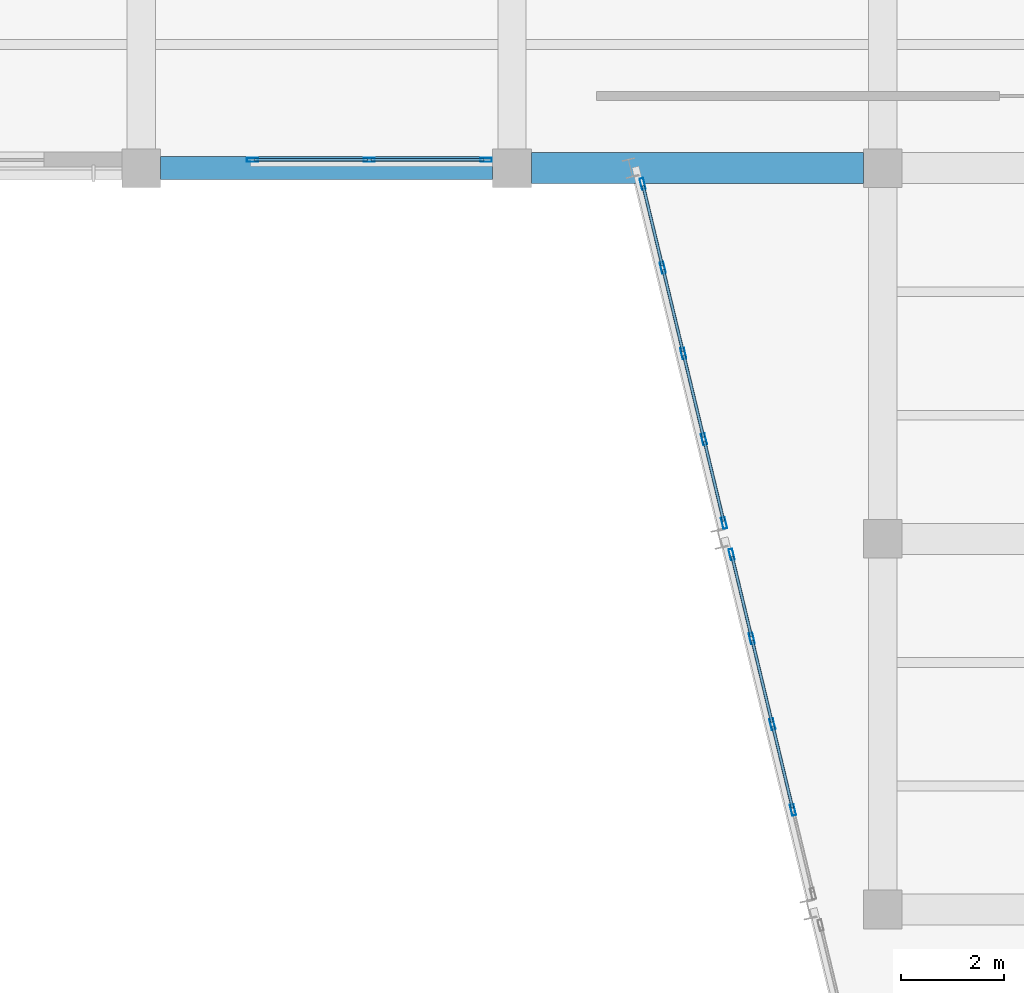
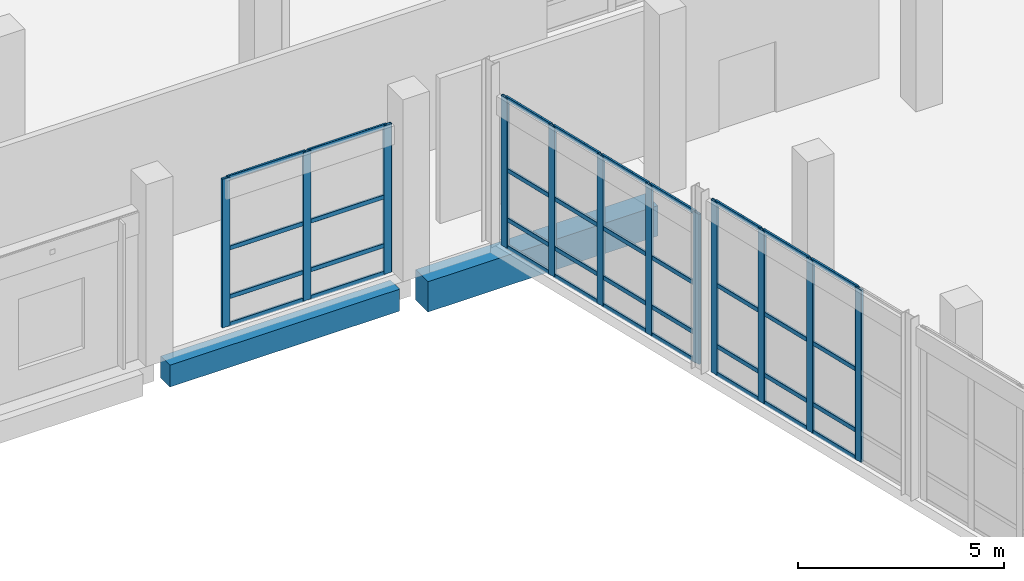
# One storey, part 59 of 137: 48 members, 2 beams, 3 elements without a shape of their own.
"""IFC4 building model written with IfcOpenShell, lengths in metres."""

from ifc_helpers import new_model, si_unit, direction, frame, origin, origin_2d, place, context, subcontext, project, spatial, rectangle, hollow_rectangle, extrude, material, material_profile, profile_set, type_object, element, aggregate, save


model = new_model("IFC4")

# Units and contexts
model_context = context("Model", 3, precision=1e-05, world=origin(), true_north=direction((0.0, 1.0)))
body_context = subcontext(model_context, "Body", "Model", "MODEL_VIEW")
ifc_project = project(units=[si_unit("LENGTHUNIT", "METRE"), si_unit("AREAUNIT", "SQUARE_METRE"), si_unit("VOLUMEUNIT", "CUBIC_METRE"), si_unit("PLANEANGLEUNIT", "RADIAN"), si_unit("MASSUNIT", "GRAM", prefix="KILO")], contexts=[model_context])

# Site, building, storey
site_placement = place(None, origin())
site = spatial("IfcSite", under=ifc_project, at=site_placement, CompositionType="ELEMENT")
building_placement = place(site_placement, origin())
building = spatial("IfcBuilding", under=site, at=building_placement, Name="Kalmorath City Hall", CompositionType="ELEMENT")
storey_placement = place(building_placement, origin())
storey = spatial("IfcBuildingStorey", under=building, at=storey_placement, Name="L00", CompositionType="ELEMENT", Elevation=0.0)

# Beams
ifc_material_1 = material(Name="Concrete C40/50", Category="concrete")
ifc_material_profile_1 = material_profile(ifc_material_1, rectangle(XDim=0.60009765625, YDim=0.89990234375, at=origin_2d()), Name="RC-BM-600X900")
ifc_profile_set_1 = profile_set([ifc_material_profile_1], Name="Concrete C40/50")
beam_type_1 = type_object("IfcBeamType", Name="Concrete floor girder 600x900", PredefinedType="BEAM", material=ifc_profile_set_1)
beam_1_placement = place(storey_placement, frame((122.77490234375, 93.60009765625, -0.75390625), z_axis=(1.0, 0.0, 0.0), x_axis=(0.0, 1.0, 0.0)))
element("IfcBeam", 1, at=beam_1_placement, inside=storey, type_object=beam_type_1, Name="L00 girder CB1 X18-19/14", PredefinedType="BEAM", context=body_context, shape_type="SweptSolid", body=[
    extrude(rectangle(XDim=0.60009765625, YDim=0.89990234375, at=origin_2d()), origin(), (0.0, 0.0, 1.0), 6.4501953125),
])
ifc_material_2 = material(Name="Concrete C40/50", Category="concrete")
ifc_material_profile_2 = material_profile(ifc_material_2, rectangle(XDim=0.449951171875, YDim=0.64990234375, at=origin_2d()), Name="RC-BM-450X650")
ifc_profile_set_2 = profile_set([ifc_material_profile_2], Name="Concrete C40/50")
beam_type_2 = type_object("IfcBeamType", Name="Concrete spandrel beam 450x650", PredefinedType="SPANDREL", material=ifc_profile_set_2)
beam_2_placement = place(storey_placement, frame((115.574951171875, 93.60009765625, -0.62890625), z_axis=(1.0, 0.0, 0.0), x_axis=(0.0, 1.0, 0.0)))
element("IfcBeam", 2, at=beam_2_placement, inside=storey, type_object=beam_type_2, Name="L00 girder CB5 X17-18/14", PredefinedType="SPANDREL", context=body_context, shape_type="SweptSolid", body=[
    extrude(rectangle(XDim=0.449951171875, YDim=0.64990234375, at=origin_2d()), origin(), (0.0, 0.0, 1.0), 6.449951171875),
])

# Curtain wall, members
ifc_material_3 = material(Name="Anodised aluminium and laminated glass", Category="aluminium")
curtain_wall_type_1 = type_object("IfcCurtainWallType", Name="Unitised hurricane curtain wall 6849x5120 M1850", PredefinedType="NOTDEFINED", material=ifc_material_3)
curtain_wall_1_placement = place(storey_placement, origin())
curtain_wall_1 = element("IfcCurtainWall", 3, at=curtain_wall_1_placement, inside=storey, type_object=curtain_wall_type_1, Name="L00 curtain wall CW-68X51M18 #46", PredefinedType="NOTDEFINED")
ifc_material_4 = material(Name="Anodised aluminium framing", Category="aluminium")
ifc_material_profile_3 = material_profile(ifc_material_4, hollow_rectangle(XDim=0.06005859375, YDim=0.1298828125, WallThickness=0.00341796875, InnerFilletRadius=0.00341796875, OuterFilletRadius=0.007080078125, at=origin_2d()), Name="ALU-TRN-130X60X3.5")
ifc_profile_set_3 = profile_set([ifc_material_profile_3], Name="Anodised aluminium framing")
member_type_1 = type_object("IfcMemberType", Name="Curtain-wall courtyard transom 130x60", PredefinedType="USERDEFINED", material=ifc_profile_set_3)
member_1_placement = place(storey_placement, frame((127.84814453125, 81.17138671875, 0.030029296875), z_axis=(-0.233508300868, 0.972354808404, 0.0), x_axis=(-0.972354808404, -0.233508300868, 0.0)))
member_1 = element("IfcMember", 4, at=member_1_placement, type_object=member_type_1, Name="CW-68X51M18 transom 2.1", ObjectType="TRANSOM", PredefinedType="USERDEFINED", context=body_context, shape_type="SweptSolid", body=[
    extrude(hollow_rectangle(XDim=0.06005859375, YDim=0.1298828125, WallThickness=0.00341796875, InnerFilletRadius=0.00341796875, OuterFilletRadius=0.007080078125, at=origin_2d()), origin(), (0.0, 0.0, 1.0), 1.63720703125),
])
member_2_placement = place(storey_placement, frame((127.84814453125, 81.17138671875, 0.85009765625), z_axis=(-0.233508300868, 0.972354808404, 0.0), x_axis=(-0.972354808404, -0.233508300868, 0.0)))
member_2 = element("IfcMember", 5, at=member_2_placement, type_object=member_type_1, Name="CW-68X51M18 transom 2.2", ObjectType="TRANSOM", PredefinedType="USERDEFINED", context=body_context, shape_type="SweptSolid", body=[
    extrude(hollow_rectangle(XDim=0.06005859375, YDim=0.1298828125, WallThickness=0.00341796875, InnerFilletRadius=0.00341796875, OuterFilletRadius=0.007080078125, at=origin_2d()), origin(), (0.0, 0.0, 1.0), 1.63720703125),
])
member_3_placement = place(storey_placement, frame((127.84814453125, 81.17138671875, 2.662109375), z_axis=(-0.233508300868, 0.972354808404, 0.0), x_axis=(-0.972354808404, -0.233508300868, 0.0)))
member_3 = element("IfcMember", 6, at=member_3_placement, type_object=member_type_1, Name="CW-68X51M18 transom 2.3", ObjectType="TRANSOM", PredefinedType="USERDEFINED", context=body_context, shape_type="SweptSolid", body=[
    extrude(hollow_rectangle(XDim=0.06005859375, YDim=0.1298828125, WallThickness=0.00341796875, InnerFilletRadius=0.00341796875, OuterFilletRadius=0.007080078125, at=origin_2d()), origin(), (0.0, 0.0, 1.0), 1.63720703125),
])
member_4_placement = place(storey_placement, frame((127.84814453125, 81.17138671875, 5.090087890625), z_axis=(-0.233508300868, 0.972354808404, 0.0), x_axis=(-0.972354808404, -0.233508300868, 0.0)))
member_4 = element("IfcMember", 7, at=member_4_placement, type_object=member_type_1, Name="CW-68X51M18 transom 2.4", ObjectType="TRANSOM", PredefinedType="USERDEFINED", context=body_context, shape_type="SweptSolid", body=[
    extrude(hollow_rectangle(XDim=0.06005859375, YDim=0.1298828125, WallThickness=0.00341796875, InnerFilletRadius=0.00341796875, OuterFilletRadius=0.007080078125, at=origin_2d()), origin(), (0.0, 0.0, 1.0), 1.63720703125),
])
member_5_placement = place(storey_placement, frame((127.4482421875, 82.83642578125, 0.030029296875), z_axis=(-0.233367312665, 0.972388655518, 0.0), x_axis=(-0.972388655518, -0.233367312665, 0.0)))
member_5 = element("IfcMember", 8, at=member_5_placement, type_object=member_type_1, Name="CW-68X51M18 transom 3.1", ObjectType="TRANSOM", PredefinedType="USERDEFINED", context=body_context, shape_type="SweptSolid", body=[
    extrude(hollow_rectangle(XDim=0.06005859375, YDim=0.1298828125, WallThickness=0.00341796875, InnerFilletRadius=0.00341796875, OuterFilletRadius=0.007080078125, at=origin_2d()), origin(), (0.0, 0.0, 1.0), 1.63720703125),
])
member_6_placement = place(storey_placement, frame((127.4482421875, 82.83642578125, 0.85009765625), z_axis=(-0.233367312665, 0.972388655518, 0.0), x_axis=(-0.972388655518, -0.233367312665, 0.0)))
member_6 = element("IfcMember", 9, at=member_6_placement, type_object=member_type_1, Name="CW-68X51M18 transom 3.2", ObjectType="TRANSOM", PredefinedType="USERDEFINED", context=body_context, shape_type="SweptSolid", body=[
    extrude(hollow_rectangle(XDim=0.06005859375, YDim=0.1298828125, WallThickness=0.00341796875, InnerFilletRadius=0.00341796875, OuterFilletRadius=0.007080078125, at=origin_2d()), origin(), (0.0, 0.0, 1.0), 1.63720703125),
])
member_7_placement = place(storey_placement, frame((127.4482421875, 82.83642578125, 2.662109375), z_axis=(-0.233367312665, 0.972388655518, 0.0), x_axis=(-0.972388655518, -0.233367312665, 0.0)))
member_7 = element("IfcMember", 10, at=member_7_placement, type_object=member_type_1, Name="CW-68X51M18 transom 3.3", ObjectType="TRANSOM", PredefinedType="USERDEFINED", context=body_context, shape_type="SweptSolid", body=[
    extrude(hollow_rectangle(XDim=0.06005859375, YDim=0.1298828125, WallThickness=0.00341796875, InnerFilletRadius=0.00341796875, OuterFilletRadius=0.007080078125, at=origin_2d()), origin(), (0.0, 0.0, 1.0), 1.63720703125),
])
member_8_placement = place(storey_placement, frame((127.4482421875, 82.83642578125, 5.090087890625), z_axis=(-0.233367312665, 0.972388655518, 0.0), x_axis=(-0.972388655518, -0.233367312665, 0.0)))
member_8 = element("IfcMember", 11, at=member_8_placement, type_object=member_type_1, Name="CW-68X51M18 transom 3.4", ObjectType="TRANSOM", PredefinedType="USERDEFINED", context=body_context, shape_type="SweptSolid", body=[
    extrude(hollow_rectangle(XDim=0.06005859375, YDim=0.1298828125, WallThickness=0.00341796875, InnerFilletRadius=0.00341796875, OuterFilletRadius=0.007080078125, at=origin_2d()), origin(), (0.0, 0.0, 1.0), 1.63720703125),
])
member_9_placement = place(storey_placement, frame((127.048583984375, 84.50146484375, 0.030029296875), z_axis=(-0.233476838675, 0.972362363423, 0.0), x_axis=(-0.972362363423, -0.233476838675, 0.0)))
member_9 = element("IfcMember", 12, at=member_9_placement, type_object=member_type_1, Name="CW-68X51M18 transom 4.1", ObjectType="TRANSOM", PredefinedType="USERDEFINED", context=body_context, shape_type="SweptSolid", body=[
    extrude(hollow_rectangle(XDim=0.06005859375, YDim=0.1298828125, WallThickness=0.00341796875, InnerFilletRadius=0.00341796875, OuterFilletRadius=0.007080078125, at=origin_2d()), origin(), (0.0, 0.0, 1.0), 1.599853515625),
])
member_10_placement = place(storey_placement, frame((127.048583984375, 84.50146484375, 0.85009765625), z_axis=(-0.233476838675, 0.972362363423, 0.0), x_axis=(-0.972362363423, -0.233476838675, 0.0)))
member_10 = element("IfcMember", 13, at=member_10_placement, type_object=member_type_1, Name="CW-68X51M18 transom 4.2", ObjectType="TRANSOM", PredefinedType="USERDEFINED", context=body_context, shape_type="SweptSolid", body=[
    extrude(hollow_rectangle(XDim=0.06005859375, YDim=0.1298828125, WallThickness=0.00341796875, InnerFilletRadius=0.00341796875, OuterFilletRadius=0.007080078125, at=origin_2d()), origin(), (0.0, 0.0, 1.0), 1.599853515625),
])
member_11_placement = place(storey_placement, frame((127.048583984375, 84.50146484375, 2.662109375), z_axis=(-0.233476838675, 0.972362363423, 0.0), x_axis=(-0.972362363423, -0.233476838675, 0.0)))
member_11 = element("IfcMember", 14, at=member_11_placement, type_object=member_type_1, Name="CW-68X51M18 transom 4.3", ObjectType="TRANSOM", PredefinedType="USERDEFINED", context=body_context, shape_type="SweptSolid", body=[
    extrude(hollow_rectangle(XDim=0.06005859375, YDim=0.1298828125, WallThickness=0.00341796875, InnerFilletRadius=0.00341796875, OuterFilletRadius=0.007080078125, at=origin_2d()), origin(), (0.0, 0.0, 1.0), 1.599853515625),
])
member_12_placement = place(storey_placement, frame((127.048583984375, 84.50146484375, 5.090087890625), z_axis=(-0.233476838675, 0.972362363423, 0.0), x_axis=(-0.972362363423, -0.233476838675, 0.0)))
member_12 = element("IfcMember", 15, at=member_12_placement, type_object=member_type_1, Name="CW-68X51M18 transom 4.4", ObjectType="TRANSOM", PredefinedType="USERDEFINED", context=body_context, shape_type="SweptSolid", body=[
    extrude(hollow_rectangle(XDim=0.06005859375, YDim=0.1298828125, WallThickness=0.00341796875, InnerFilletRadius=0.00341796875, OuterFilletRadius=0.007080078125, at=origin_2d()), origin(), (0.0, 0.0, 1.0), 1.599853515625),
])

ifc_material_5 = material(Name="Anodised aluminium and laminated glass", Category="aluminium")
curtain_wall_type_2 = type_object("IfcCurtainWallType", Name="Unitised hurricane curtain wall 6849x4450 M1850", PredefinedType="NOTDEFINED", material=ifc_material_5)
curtain_wall_2_placement = place(storey_placement, origin())
curtain_wall_2 = element("IfcCurtainWall", 16, at=curtain_wall_2_placement, inside=storey, type_object=curtain_wall_type_2, Name="L00 curtain wall CW-68X44M18 #47", PredefinedType="NOTDEFINED")
member_13_placement = place(storey_placement, frame((126.510498046875, 86.742919921875, 0.030029296875), z_axis=(-0.233476838675, 0.972362363423, 0.0), x_axis=(-0.972362363423, -0.233476838675, 0.0)))
member_13 = element("IfcMember", 17, at=member_13_placement, type_object=member_type_1, Name="CW-68X44M18 transom 1.1", ObjectType="TRANSOM", PredefinedType="USERDEFINED", context=body_context, shape_type="SweptSolid", body=[
    extrude(hollow_rectangle(XDim=0.06005859375, YDim=0.1298828125, WallThickness=0.00341796875, InnerFilletRadius=0.00341796875, OuterFilletRadius=0.007080078125, at=origin_2d()), origin(), (0.0, 0.0, 1.0), 1.599853515625),
])
member_14_placement = place(storey_placement, frame((126.510498046875, 86.742919921875, 0.85009765625), z_axis=(-0.233476838675, 0.972362363423, 0.0), x_axis=(-0.972362363423, -0.233476838675, 0.0)))
member_14 = element("IfcMember", 18, at=member_14_placement, type_object=member_type_1, Name="CW-68X44M18 transom 1.2", ObjectType="TRANSOM", PredefinedType="USERDEFINED", context=body_context, shape_type="SweptSolid", body=[
    extrude(hollow_rectangle(XDim=0.06005859375, YDim=0.1298828125, WallThickness=0.00341796875, InnerFilletRadius=0.00341796875, OuterFilletRadius=0.007080078125, at=origin_2d()), origin(), (0.0, 0.0, 1.0), 1.599853515625),
])
member_15_placement = place(storey_placement, frame((126.510498046875, 86.742919921875, 2.31396484375), z_axis=(-0.233476838675, 0.972362363423, 0.0), x_axis=(-0.972362363423, -0.233476838675, 0.0)))
member_15 = element("IfcMember", 19, at=member_15_placement, type_object=member_type_1, Name="CW-68X44M18 transom 1.3", ObjectType="TRANSOM", PredefinedType="USERDEFINED", context=body_context, shape_type="SweptSolid", body=[
    extrude(hollow_rectangle(XDim=0.06005859375, YDim=0.1298828125, WallThickness=0.00341796875, InnerFilletRadius=0.00341796875, OuterFilletRadius=0.007080078125, at=origin_2d()), origin(), (0.0, 0.0, 1.0), 1.599853515625),
])
member_16_placement = place(storey_placement, frame((126.510498046875, 86.742919921875, 4.419921875), z_axis=(-0.233476838675, 0.972362363423, 0.0), x_axis=(-0.972362363423, -0.233476838675, 0.0)))
member_16 = element("IfcMember", 20, at=member_16_placement, type_object=member_type_1, Name="CW-68X44M18 transom 1.4", ObjectType="TRANSOM", PredefinedType="USERDEFINED", context=body_context, shape_type="SweptSolid", body=[
    extrude(hollow_rectangle(XDim=0.06005859375, YDim=0.1298828125, WallThickness=0.00341796875, InnerFilletRadius=0.00341796875, OuterFilletRadius=0.007080078125, at=origin_2d()), origin(), (0.0, 0.0, 1.0), 1.599853515625),
])
member_17_placement = place(storey_placement, frame((126.119384765625, 88.37158203125, 0.030029296875), z_axis=(-0.233367312665, 0.972388655518, 0.0), x_axis=(-0.972388655518, -0.233367312665, 0.0)))
member_17 = element("IfcMember", 21, at=member_17_placement, type_object=member_type_1, Name="CW-68X44M18 transom 2.1", ObjectType="TRANSOM", PredefinedType="USERDEFINED", context=body_context, shape_type="SweptSolid", body=[
    extrude(hollow_rectangle(XDim=0.06005859375, YDim=0.1298828125, WallThickness=0.00341796875, InnerFilletRadius=0.00341796875, OuterFilletRadius=0.007080078125, at=origin_2d()), origin(), (0.0, 0.0, 1.0), 1.63720703125),
])
member_18_placement = place(storey_placement, frame((126.119384765625, 88.37158203125, 0.85009765625), z_axis=(-0.233367312665, 0.972388655518, 0.0), x_axis=(-0.972388655518, -0.233367312665, 0.0)))
member_18 = element("IfcMember", 22, at=member_18_placement, type_object=member_type_1, Name="CW-68X44M18 transom 2.2", ObjectType="TRANSOM", PredefinedType="USERDEFINED", context=body_context, shape_type="SweptSolid", body=[
    extrude(hollow_rectangle(XDim=0.06005859375, YDim=0.1298828125, WallThickness=0.00341796875, InnerFilletRadius=0.00341796875, OuterFilletRadius=0.007080078125, at=origin_2d()), origin(), (0.0, 0.0, 1.0), 1.63720703125),
])
member_19_placement = place(storey_placement, frame((126.119384765625, 88.37158203125, 2.31396484375), z_axis=(-0.233367312665, 0.972388655518, 0.0), x_axis=(-0.972388655518, -0.233367312665, 0.0)))
member_19 = element("IfcMember", 23, at=member_19_placement, type_object=member_type_1, Name="CW-68X44M18 transom 2.3", ObjectType="TRANSOM", PredefinedType="USERDEFINED", context=body_context, shape_type="SweptSolid", body=[
    extrude(hollow_rectangle(XDim=0.06005859375, YDim=0.1298828125, WallThickness=0.00341796875, InnerFilletRadius=0.00341796875, OuterFilletRadius=0.007080078125, at=origin_2d()), origin(), (0.0, 0.0, 1.0), 1.63720703125),
])
member_20_placement = place(storey_placement, frame((126.119384765625, 88.37158203125, 4.419921875), z_axis=(-0.233367312665, 0.972388655518, 0.0), x_axis=(-0.972388655518, -0.233367312665, 0.0)))
member_20 = element("IfcMember", 24, at=member_20_placement, type_object=member_type_1, Name="CW-68X44M18 transom 2.4", ObjectType="TRANSOM", PredefinedType="USERDEFINED", context=body_context, shape_type="SweptSolid", body=[
    extrude(hollow_rectangle(XDim=0.06005859375, YDim=0.1298828125, WallThickness=0.00341796875, InnerFilletRadius=0.00341796875, OuterFilletRadius=0.007080078125, at=origin_2d()), origin(), (0.0, 0.0, 1.0), 1.63720703125),
])
member_21_placement = place(storey_placement, frame((125.7197265625, 90.036376953125, 0.030029296875), z_axis=(-0.233508300868, 0.972354808404, 0.0), x_axis=(-0.972354808404, -0.233508300868, 0.0)))
member_21 = element("IfcMember", 25, at=member_21_placement, type_object=member_type_1, Name="CW-68X44M18 transom 3.1", ObjectType="TRANSOM", PredefinedType="USERDEFINED", context=body_context, shape_type="SweptSolid", body=[
    extrude(hollow_rectangle(XDim=0.06005859375, YDim=0.1298828125, WallThickness=0.00341796875, InnerFilletRadius=0.00341796875, OuterFilletRadius=0.007080078125, at=origin_2d()), origin(), (0.0, 0.0, 1.0), 1.63720703125),
])
member_22_placement = place(storey_placement, frame((125.7197265625, 90.036376953125, 0.85009765625), z_axis=(-0.233508300868, 0.972354808404, 0.0), x_axis=(-0.972354808404, -0.233508300868, 0.0)))
member_22 = element("IfcMember", 26, at=member_22_placement, type_object=member_type_1, Name="CW-68X44M18 transom 3.2", ObjectType="TRANSOM", PredefinedType="USERDEFINED", context=body_context, shape_type="SweptSolid", body=[
    extrude(hollow_rectangle(XDim=0.06005859375, YDim=0.1298828125, WallThickness=0.00341796875, InnerFilletRadius=0.00341796875, OuterFilletRadius=0.007080078125, at=origin_2d()), origin(), (0.0, 0.0, 1.0), 1.63720703125),
])
member_23_placement = place(storey_placement, frame((125.7197265625, 90.036376953125, 2.31396484375), z_axis=(-0.233508300868, 0.972354808404, 0.0), x_axis=(-0.972354808404, -0.233508300868, 0.0)))
member_23 = element("IfcMember", 27, at=member_23_placement, type_object=member_type_1, Name="CW-68X44M18 transom 3.3", ObjectType="TRANSOM", PredefinedType="USERDEFINED", context=body_context, shape_type="SweptSolid", body=[
    extrude(hollow_rectangle(XDim=0.06005859375, YDim=0.1298828125, WallThickness=0.00341796875, InnerFilletRadius=0.00341796875, OuterFilletRadius=0.007080078125, at=origin_2d()), origin(), (0.0, 0.0, 1.0), 1.63720703125),
])
member_24_placement = place(storey_placement, frame((125.7197265625, 90.036376953125, 4.419921875), z_axis=(-0.233508300868, 0.972354808404, 0.0), x_axis=(-0.972354808404, -0.233508300868, 0.0)))
member_24 = element("IfcMember", 28, at=member_24_placement, type_object=member_type_1, Name="CW-68X44M18 transom 3.4", ObjectType="TRANSOM", PredefinedType="USERDEFINED", context=body_context, shape_type="SweptSolid", body=[
    extrude(hollow_rectangle(XDim=0.06005859375, YDim=0.1298828125, WallThickness=0.00341796875, InnerFilletRadius=0.00341796875, OuterFilletRadius=0.007080078125, at=origin_2d()), origin(), (0.0, 0.0, 1.0), 1.63720703125),
])
member_25_placement = place(storey_placement, frame((125.320068359375, 91.701416015625, 0.030029296875), z_axis=(-0.233476838675, 0.972362363423, 0.0), x_axis=(-0.972362363423, -0.233476838675, 0.0)))
member_25 = element("IfcMember", 29, at=member_25_placement, type_object=member_type_1, Name="CW-68X44M18 transom 4.1", ObjectType="TRANSOM", PredefinedType="USERDEFINED", context=body_context, shape_type="SweptSolid", body=[
    extrude(hollow_rectangle(XDim=0.06005859375, YDim=0.1298828125, WallThickness=0.00341796875, InnerFilletRadius=0.00341796875, OuterFilletRadius=0.007080078125, at=origin_2d()), origin(), (0.0, 0.0, 1.0), 1.599853515625),
])
member_26_placement = place(storey_placement, frame((125.320068359375, 91.701416015625, 0.85009765625), z_axis=(-0.233476838675, 0.972362363423, 0.0), x_axis=(-0.972362363423, -0.233476838675, 0.0)))
member_26 = element("IfcMember", 30, at=member_26_placement, type_object=member_type_1, Name="CW-68X44M18 transom 4.2", ObjectType="TRANSOM", PredefinedType="USERDEFINED", context=body_context, shape_type="SweptSolid", body=[
    extrude(hollow_rectangle(XDim=0.06005859375, YDim=0.1298828125, WallThickness=0.00341796875, InnerFilletRadius=0.00341796875, OuterFilletRadius=0.007080078125, at=origin_2d()), origin(), (0.0, 0.0, 1.0), 1.599853515625),
])
member_27_placement = place(storey_placement, frame((125.320068359375, 91.701416015625, 2.31396484375), z_axis=(-0.233476838675, 0.972362363423, 0.0), x_axis=(-0.972362363423, -0.233476838675, 0.0)))
member_27 = element("IfcMember", 31, at=member_27_placement, type_object=member_type_1, Name="CW-68X44M18 transom 4.3", ObjectType="TRANSOM", PredefinedType="USERDEFINED", context=body_context, shape_type="SweptSolid", body=[
    extrude(hollow_rectangle(XDim=0.06005859375, YDim=0.1298828125, WallThickness=0.00341796875, InnerFilletRadius=0.00341796875, OuterFilletRadius=0.007080078125, at=origin_2d()), origin(), (0.0, 0.0, 1.0), 1.599853515625),
])
member_28_placement = place(storey_placement, frame((125.320068359375, 91.701416015625, 4.419921875), z_axis=(-0.233476838675, 0.972362363423, 0.0), x_axis=(-0.972362363423, -0.233476838675, 0.0)))
member_28 = element("IfcMember", 32, at=member_28_placement, type_object=member_type_1, Name="CW-68X44M18 transom 4.4", ObjectType="TRANSOM", PredefinedType="USERDEFINED", context=body_context, shape_type="SweptSolid", body=[
    extrude(hollow_rectangle(XDim=0.06005859375, YDim=0.1298828125, WallThickness=0.00341796875, InnerFilletRadius=0.00341796875, OuterFilletRadius=0.007080078125, at=origin_2d()), origin(), (0.0, 0.0, 1.0), 1.599853515625),
])

ifc_material_6 = material(Name="Anodised aluminium and laminated glass", Category="aluminium")
curtain_wall_type_3 = type_object("IfcCurtainWallType", Name="Unitised hurricane curtain wall 4612x4411 M1850", PredefinedType="NOTDEFINED", material=ifc_material_6)
curtain_wall_3_placement = place(storey_placement, origin())
curtain_wall_3 = element("IfcCurtainWall", 33, at=curtain_wall_3_placement, inside=storey, type_object=curtain_wall_type_3, Name="L00 curtain wall CW-46X44M18 #48", PredefinedType="NOTDEFINED")
member_29_placement = place(storey_placement, frame((121.860107421875, 93.760009765625, 0.030029296875), z_axis=(-1.0, 0.0, 0.0), x_axis=(0.0, -1.0, 0.0)))
member_29 = element("IfcMember", 34, at=member_29_placement, type_object=member_type_1, Name="CW-46X44M18 transom 1.1", ObjectType="TRANSOM", PredefinedType="USERDEFINED", context=body_context, shape_type="SweptSolid", body=[
    extrude(hollow_rectangle(XDim=0.06005859375, YDim=0.1298828125, WallThickness=0.00341796875, InnerFilletRadius=0.00341796875, OuterFilletRadius=0.007080078125, at=origin_2d()), origin(), (0.0, 0.0, 1.0), 2.19384765625),
])
member_30_placement = place(storey_placement, frame((121.860107421875, 93.760009765625, 0.85009765625), z_axis=(-1.0, 0.0, 0.0), x_axis=(0.0, -1.0, 0.0)))
member_30 = element("IfcMember", 35, at=member_30_placement, type_object=member_type_1, Name="CW-46X44M18 transom 1.2", ObjectType="TRANSOM", PredefinedType="USERDEFINED", context=body_context, shape_type="SweptSolid", body=[
    extrude(hollow_rectangle(XDim=0.06005859375, YDim=0.1298828125, WallThickness=0.00341796875, InnerFilletRadius=0.00341796875, OuterFilletRadius=0.007080078125, at=origin_2d()), origin(), (0.0, 0.0, 1.0), 2.19384765625),
])
member_31_placement = place(storey_placement, frame((121.860107421875, 93.760009765625, 2.2939453125), z_axis=(-1.0, 0.0, 0.0), x_axis=(0.0, -1.0, 0.0)))
member_31 = element("IfcMember", 36, at=member_31_placement, type_object=member_type_1, Name="CW-46X44M18 transom 1.3", ObjectType="TRANSOM", PredefinedType="USERDEFINED", context=body_context, shape_type="SweptSolid", body=[
    extrude(hollow_rectangle(XDim=0.06005859375, YDim=0.1298828125, WallThickness=0.00341796875, InnerFilletRadius=0.00341796875, OuterFilletRadius=0.007080078125, at=origin_2d()), origin(), (0.0, 0.0, 1.0), 2.19384765625),
])
member_32_placement = place(storey_placement, frame((121.860107421875, 93.760009765625, 4.381103515625), z_axis=(-1.0, 0.0, 0.0), x_axis=(0.0, -1.0, 0.0)))
member_32 = element("IfcMember", 37, at=member_32_placement, type_object=member_type_1, Name="CW-46X44M18 transom 1.4", ObjectType="TRANSOM", PredefinedType="USERDEFINED", context=body_context, shape_type="SweptSolid", body=[
    extrude(hollow_rectangle(XDim=0.06005859375, YDim=0.1298828125, WallThickness=0.00341796875, InnerFilletRadius=0.00341796875, OuterFilletRadius=0.007080078125, at=origin_2d()), origin(), (0.0, 0.0, 1.0), 2.19384765625),
])
member_33_placement = place(storey_placement, frame((119.59130859375, 93.760009765625, 0.030029296875), z_axis=(-1.0, 0.0, 0.0), x_axis=(0.0, -1.0, 0.0)))
member_33 = element("IfcMember", 38, at=member_33_placement, type_object=member_type_1, Name="CW-46X44M18 transom 2.1", ObjectType="TRANSOM", PredefinedType="USERDEFINED", context=body_context, shape_type="SweptSolid", body=[
    extrude(hollow_rectangle(XDim=0.06005859375, YDim=0.1298828125, WallThickness=0.00341796875, InnerFilletRadius=0.00341796875, OuterFilletRadius=0.007080078125, at=origin_2d()), origin(), (0.0, 0.0, 1.0), 2.193603515625),
])
member_34_placement = place(storey_placement, frame((119.59130859375, 93.760009765625, 0.85009765625), z_axis=(-1.0, 0.0, 0.0), x_axis=(0.0, -1.0, 0.0)))
member_34 = element("IfcMember", 39, at=member_34_placement, type_object=member_type_1, Name="CW-46X44M18 transom 2.2", ObjectType="TRANSOM", PredefinedType="USERDEFINED", context=body_context, shape_type="SweptSolid", body=[
    extrude(hollow_rectangle(XDim=0.06005859375, YDim=0.1298828125, WallThickness=0.00341796875, InnerFilletRadius=0.00341796875, OuterFilletRadius=0.007080078125, at=origin_2d()), origin(), (0.0, 0.0, 1.0), 2.193603515625),
])
member_35_placement = place(storey_placement, frame((119.59130859375, 93.760009765625, 2.2939453125), z_axis=(-1.0, 0.0, 0.0), x_axis=(0.0, -1.0, 0.0)))
member_35 = element("IfcMember", 40, at=member_35_placement, type_object=member_type_1, Name="CW-46X44M18 transom 2.3", ObjectType="TRANSOM", PredefinedType="USERDEFINED", context=body_context, shape_type="SweptSolid", body=[
    extrude(hollow_rectangle(XDim=0.06005859375, YDim=0.1298828125, WallThickness=0.00341796875, InnerFilletRadius=0.00341796875, OuterFilletRadius=0.007080078125, at=origin_2d()), origin(), (0.0, 0.0, 1.0), 2.193603515625),
])
member_36_placement = place(storey_placement, frame((119.59130859375, 93.760009765625, 4.381103515625), z_axis=(-1.0, 0.0, 0.0), x_axis=(0.0, -1.0, 0.0)))
member_36 = element("IfcMember", 41, at=member_36_placement, type_object=member_type_1, Name="CW-46X44M18 transom 2.4", ObjectType="TRANSOM", PredefinedType="USERDEFINED", context=body_context, shape_type="SweptSolid", body=[
    extrude(hollow_rectangle(XDim=0.06005859375, YDim=0.1298828125, WallThickness=0.00341796875, InnerFilletRadius=0.00341796875, OuterFilletRadius=0.007080078125, at=origin_2d()), origin(), (0.0, 0.0, 1.0), 2.193603515625),
])

# Member
ifc_material_7 = material(Name="Anodised aluminium framing", Category="aluminium")
ifc_material_profile_4 = material_profile(ifc_material_7, hollow_rectangle(XDim=0.074951171875, YDim=0.219970703125, WallThickness=0.00390625, InnerFilletRadius=0.00390625, OuterFilletRadius=0.008056640625, at=origin_2d()), Name="ALU-MUL-220X75X4")
ifc_profile_set_4 = profile_set([ifc_material_profile_4], Name="Anodised aluminium framing")
member_type_2 = type_object("IfcMemberType", Name="Curtain-wall primary mullion 220x75", PredefinedType="MULLION", material=ifc_profile_set_4)
member_37_placement = place(storey_placement, frame((127.85693359375, 81.135009765625, 0.0), z_axis=(0.0, 0.0, 1.0), x_axis=(-0.97236741933, -0.233455781305, 0.0)))
member_37 = element("IfcMember", 42, at=member_37_placement, type_object=member_type_2, Name="CW-68X51M18 mullion 2", PredefinedType="MULLION", context=body_context, shape_type="SweptSolid", body=[
    extrude(hollow_rectangle(XDim=0.074951171875, YDim=0.219970703125, WallThickness=0.00390625, InnerFilletRadius=0.00390625, OuterFilletRadius=0.008056640625, at=origin_2d()), origin(), (0.0, 0.0, 1.0), 5.1201171875),
])

member_38_placement = place(storey_placement, frame((127.45703125, 82.800048828125, 0.0), z_axis=(0.0, 0.0, 1.0), x_axis=(-0.97236741933, -0.233455781305, 0.0)))
member_38 = element("IfcMember", 43, at=member_38_placement, type_object=member_type_2, Name="CW-68X51M18 mullion 3", PredefinedType="MULLION", context=body_context, shape_type="SweptSolid", body=[
    extrude(hollow_rectangle(XDim=0.074951171875, YDim=0.219970703125, WallThickness=0.00390625, InnerFilletRadius=0.00390625, OuterFilletRadius=0.008056640625, at=origin_2d()), origin(), (0.0, 0.0, 1.0), 5.1201171875),
])

member_39_placement = place(storey_placement, frame((127.057373046875, 84.465087890625, 0.0), z_axis=(0.0, 0.0, 1.0), x_axis=(-0.97236741933, -0.233455781305, 0.0)))
member_39 = element("IfcMember", 44, at=member_39_placement, type_object=member_type_2, Name="CW-68X51M18 mullion 4", PredefinedType="MULLION", context=body_context, shape_type="SweptSolid", body=[
    extrude(hollow_rectangle(XDim=0.074951171875, YDim=0.219970703125, WallThickness=0.00390625, InnerFilletRadius=0.00390625, OuterFilletRadius=0.008056640625, at=origin_2d()), origin(), (0.0, 0.0, 1.0), 5.1201171875),
])

member_40_placement = place(storey_placement, frame((126.666259765625, 86.093505859375, 0.0), z_axis=(0.0, 0.0, 1.0), x_axis=(-0.97236741933, -0.233455781305, 0.0)))
member_40 = element("IfcMember", 45, at=member_40_placement, type_object=member_type_2, Name="CW-68X51M18 mullion 5", PredefinedType="MULLION", context=body_context, shape_type="SweptSolid", body=[
    extrude(hollow_rectangle(XDim=0.074951171875, YDim=0.219970703125, WallThickness=0.00390625, InnerFilletRadius=0.00390625, OuterFilletRadius=0.008056640625, at=origin_2d()), origin(), (0.0, 0.0, 1.0), 5.1201171875),
])

aggregate(curtain_wall_1, [member_37, member_38, member_39, member_40, member_1, member_2, member_3, member_4, member_5, member_6, member_7, member_8, member_9, member_10, member_11, member_12])

member_41_placement = place(storey_placement, frame((126.519287109375, 86.70654296875, 0.0), z_axis=(0.0, 0.0, 1.0), x_axis=(-0.97236741933, -0.233455781305, 0.0)))
member_41 = element("IfcMember", 46, at=member_41_placement, type_object=member_type_2, Name="CW-68X44M18 mullion 1", PredefinedType="MULLION", context=body_context, shape_type="SweptSolid", body=[
    extrude(hollow_rectangle(XDim=0.074951171875, YDim=0.219970703125, WallThickness=0.00390625, InnerFilletRadius=0.00390625, OuterFilletRadius=0.008056640625, at=origin_2d()), origin(), (0.0, 0.0, 1.0), 4.449951171875),
])

member_42_placement = place(storey_placement, frame((126.128173828125, 88.3349609375, 0.0), z_axis=(0.0, 0.0, 1.0), x_axis=(-0.97236741933, -0.233455781305, 0.0)))
member_42 = element("IfcMember", 47, at=member_42_placement, type_object=member_type_2, Name="CW-68X44M18 mullion 2", PredefinedType="MULLION", context=body_context, shape_type="SweptSolid", body=[
    extrude(hollow_rectangle(XDim=0.074951171875, YDim=0.219970703125, WallThickness=0.00390625, InnerFilletRadius=0.00390625, OuterFilletRadius=0.008056640625, at=origin_2d()), origin(), (0.0, 0.0, 1.0), 4.449951171875),
])

member_43_placement = place(storey_placement, frame((125.728515625, 90.0, 0.0), z_axis=(0.0, 0.0, 1.0), x_axis=(-0.97236741933, -0.233455781305, 0.0)))
member_43 = element("IfcMember", 48, at=member_43_placement, type_object=member_type_2, Name="CW-68X44M18 mullion 3", PredefinedType="MULLION", context=body_context, shape_type="SweptSolid", body=[
    extrude(hollow_rectangle(XDim=0.074951171875, YDim=0.219970703125, WallThickness=0.00390625, InnerFilletRadius=0.00390625, OuterFilletRadius=0.008056640625, at=origin_2d()), origin(), (0.0, 0.0, 1.0), 4.449951171875),
])

member_44_placement = place(storey_placement, frame((125.328857421875, 91.6650390625, 0.0), z_axis=(0.0, 0.0, 1.0), x_axis=(-0.97236741933, -0.233455781305, 0.0)))
member_44 = element("IfcMember", 49, at=member_44_placement, type_object=member_type_2, Name="CW-68X44M18 mullion 4", PredefinedType="MULLION", context=body_context, shape_type="SweptSolid", body=[
    extrude(hollow_rectangle(XDim=0.074951171875, YDim=0.219970703125, WallThickness=0.00390625, InnerFilletRadius=0.00390625, OuterFilletRadius=0.008056640625, at=origin_2d()), origin(), (0.0, 0.0, 1.0), 4.449951171875),
])

member_45_placement = place(storey_placement, frame((124.937744140625, 93.29345703125, 0.0), z_axis=(0.0, 0.0, 1.0), x_axis=(-0.97236741933, -0.233455781305, 0.0)))
member_45 = element("IfcMember", 50, at=member_45_placement, type_object=member_type_2, Name="CW-68X44M18 mullion 5", PredefinedType="MULLION", context=body_context, shape_type="SweptSolid", body=[
    extrude(hollow_rectangle(XDim=0.074951171875, YDim=0.219970703125, WallThickness=0.00390625, InnerFilletRadius=0.00390625, OuterFilletRadius=0.008056640625, at=origin_2d()), origin(), (0.0, 0.0, 1.0), 4.449951171875),
])

aggregate(curtain_wall_2, [member_41, member_42, member_43, member_44, member_45, member_13, member_14, member_15, member_16, member_17, member_18, member_19, member_20, member_21, member_22, member_23, member_24, member_25, member_26, member_27, member_28])

member_46_placement = place(storey_placement, frame((121.8974609375, 93.760009765625, 0.0), z_axis=(0.0, 0.0, 1.0), x_axis=(0.0, -1.0, 0.0)))
member_46 = element("IfcMember", 51, at=member_46_placement, type_object=member_type_2, Name="CW-46X44M18 mullion 1", PredefinedType="MULLION", context=body_context, shape_type="SweptSolid", body=[
    extrude(hollow_rectangle(XDim=0.074951171875, YDim=0.219970703125, WallThickness=0.00390625, InnerFilletRadius=0.00390625, OuterFilletRadius=0.008056640625, at=origin_2d()), origin(), (0.0, 0.0, 1.0), 4.410888671875),
])

member_47_placement = place(storey_placement, frame((119.62890625, 93.760009765625, 0.0), z_axis=(0.0, 0.0, 1.0), x_axis=(0.0, -1.0, 0.0)))
member_47 = element("IfcMember", 52, at=member_47_placement, type_object=member_type_2, Name="CW-46X44M18 mullion 2", PredefinedType="MULLION", context=body_context, shape_type="SweptSolid", body=[
    extrude(hollow_rectangle(XDim=0.074951171875, YDim=0.219970703125, WallThickness=0.00390625, InnerFilletRadius=0.00390625, OuterFilletRadius=0.008056640625, at=origin_2d()), origin(), (0.0, 0.0, 1.0), 4.410888671875),
])

member_48_placement = place(storey_placement, frame((117.360107421875, 93.760009765625, 0.0), z_axis=(0.0, 0.0, 1.0), x_axis=(0.0, -1.0, 0.0)))
member_48 = element("IfcMember", 53, at=member_48_placement, type_object=member_type_2, Name="CW-46X44M18 mullion 3", PredefinedType="MULLION", context=body_context, shape_type="SweptSolid", body=[
    extrude(hollow_rectangle(XDim=0.074951171875, YDim=0.219970703125, WallThickness=0.00390625, InnerFilletRadius=0.00390625, OuterFilletRadius=0.008056640625, at=origin_2d()), origin(), (0.0, 0.0, 1.0), 4.410888671875),
])

aggregate(curtain_wall_3, [member_46, member_47, member_48, member_29, member_30, member_31, member_32, member_33, member_34, member_35, member_36])

save(model, "model.ifc")
